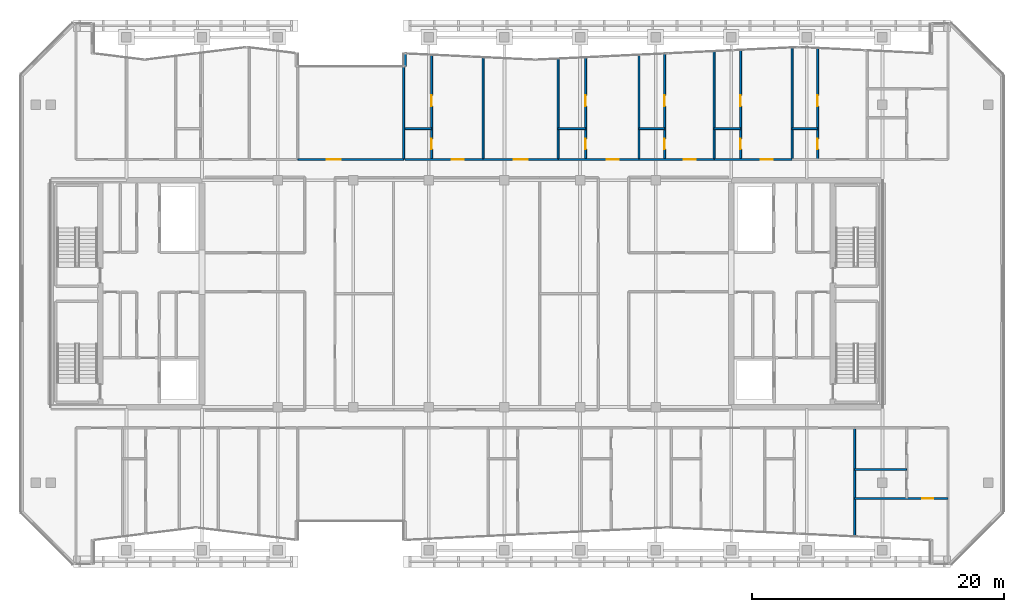
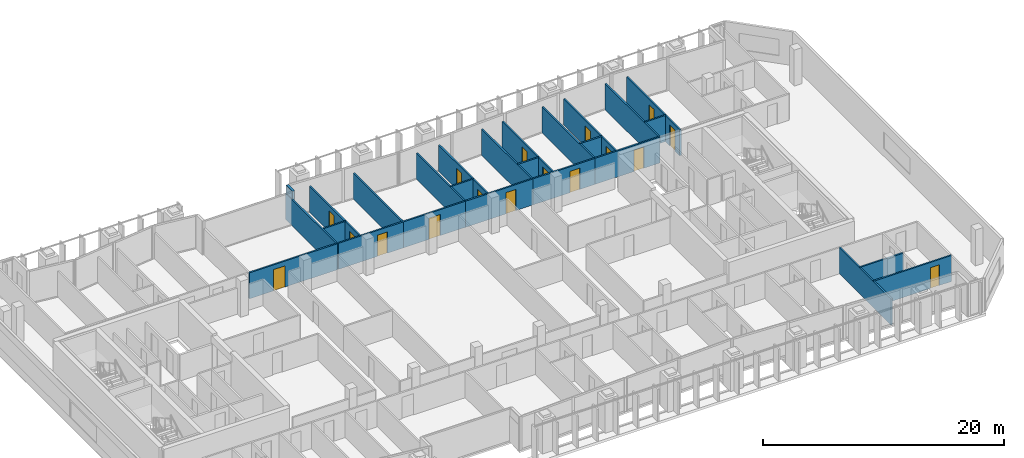
# One storey, part 25 of 32: 26 walls, 17 doors, 17 openings.
"""IFC4 building model written with IfcOpenShell, lengths in metres."""

from ifc_helpers import new_model, si_unit, direction, frame, frame_2d, origin, place, context, subcontext, project, spatial, rectangle, extrude, material, layer, layer_set, type_object, element, fill, save


model = new_model("IFC4")

# Units and contexts
model_context = context("Model", 3, precision=1e-05, world=origin(), true_north=direction((0.0, 1.0)))
body_context = subcontext(model_context, "Body", "Model", "MODEL_VIEW")
ifc_project = project(units=[si_unit("LENGTHUNIT", "METRE"), si_unit("AREAUNIT", "SQUARE_METRE"), si_unit("VOLUMEUNIT", "CUBIC_METRE"), si_unit("PLANEANGLEUNIT", "RADIAN"), si_unit("MASSUNIT", "GRAM", prefix="KILO")], contexts=[model_context])

# Site, building, storey
site_placement = place(None, origin())
site = spatial("IfcSite", under=ifc_project, at=site_placement, CompositionType="ELEMENT")
building_placement = place(site_placement, origin())
building = spatial("IfcBuilding", under=site, at=building_placement, Name="Tanjung Sevakor Pilgrim Tower", CompositionType="ELEMENT")
storey_placement = place(building_placement, frame((0.0, 0.0, 211.860107421875)))
storey = spatial("IfcBuildingStorey", under=building, at=storey_placement, Name="L59", CompositionType="ELEMENT", Elevation=211.860107421875)

# Wall, opening, door
ifc_material_1 = material(Name="Concrete C40/50", Category="concrete")
ifc_layer_1 = layer(ifc_material_1, 0.14990234375)
ifc_layer_set_1 = layer_set([ifc_layer_1], Name="WT-COMP-150")
wall_type_1 = type_object("IfcWallType", Name="WT-COMP-150", PredefinedType="SOLIDWALL", material=ifc_layer_set_1)
wall_1_placement = place(storey_placement, frame((43.60009765625, 44.25, 0.0), z_axis=(0.0, 0.0, 1.0), x_axis=(1.0, 0.0, 0.0)))
wall_1 = element("IfcWall", 1, at=wall_1_placement, inside=storey, type_object=wall_type_1, Name="L59 Partition IW-L59-062", PredefinedType="SOLIDWALL", context=body_context, shape_type="SweptSolid", body=[
    extrude(rectangle(XDim=8.39990234375, YDim=0.14990234375, at=frame_2d((4.199951171875, 0.0))), origin(), (0.0, 0.0, 1.0), 2.6298828125),
])
opening_1_placement = place(wall_1_placement, frame((2.300048828125, 0.0, 0.0)))
opening_1 = element("IfcOpeningElement", 2, at=opening_1_placement, cuts=wall_1, Name="Opening ID-RM2", PredefinedType="OPENING", context=body_context, shape_type="SweptSolid", body=[
    extrude(rectangle(XDim=1.10009765625, YDim=2.14990234375, at=frame_2d((0.550048828125, 1.074951171875))), frame((0.0, 0.0849609375, 0.0), z_axis=(0.0, -1.0, 0.0), x_axis=(1.0, 0.0, 0.0)), (0.0, 0.0, 1.0), 0.169921875),
])
ifc_material_2 = material(Name="Hardwood Timber", Category="wood")
door_type_1 = type_object("IfcDoorType", Name="DT-INT-1100", OperationType="NOTDEFINED", PredefinedType="DOOR", material=ifc_material_2)
door_1_placement = place(opening_1_placement, origin())
door_1 = element("IfcDoor", 3, at=door_1_placement, inside=storey, type_object=door_type_1, Name="L59 North Cleft Prayer Room Door", OperationType="SINGLE_SWING_LEFT", OverallHeight=2.14990234375, OverallWidth=1.10009765625, PredefinedType="DOOR", context=body_context, shape_type="SweptSolid", body=[
    extrude(rectangle(XDim=1.10009765625, YDim=2.14990234375, at=frame_2d((0.550048828125, 1.074951171875))), frame((0.0, 0.02490234375, 0.0), z_axis=(0.0, -1.0, 0.0), x_axis=(1.0, 0.0, 0.0)), (0.0, 0.0, 1.0), 0.050048828125),
])
fill(opening_1, door_1)

# Walls
wall_2_placement = place(storey_placement, frame((52.0, 44.25, 0.0), z_axis=(0.0, 0.0, 1.0), x_axis=(0.0, 1.0, 0.0)))
element("IfcWall", 4, at=wall_2_placement, inside=storey, type_object=wall_type_1, Name="L59 Partition IW-L59-064", PredefinedType="SOLIDWALL", context=body_context, shape_type="SweptSolid", body=[
    extrude(rectangle(XDim=8.404052734375, YDim=0.14990234375, at=frame_2d((4.2021484375, 0.0))), origin(), (0.0, 0.0, 1.0), 2.6298828125),
])
wall_3_placement = place(storey_placement, frame((87.79150390625, 14.32763671875, 0.0), z_axis=(0.0, 0.0, 1.0), x_axis=(0.0, 1.0, 0.0)))
element("IfcWall", 5, at=wall_3_placement, inside=storey, type_object=wall_type_1, Name="L59 Partition IW-L59-092", PredefinedType="SOLIDWALL", context=body_context, shape_type="SweptSolid", body=[
    extrude(rectangle(XDim=8.622314453125, YDim=0.14990234375, at=frame_2d((4.31103515625, 0.0))), origin(), (0.0, 0.0, 1.0), 2.6298828125),
])
wall_4_placement = place(storey_placement, frame((58.306884765625, 44.25, 0.0), z_axis=(0.0, 0.0, 1.0), x_axis=(0.0, 1.0, 0.0)))
element("IfcWall", 6, at=wall_4_placement, inside=storey, type_object=wall_type_1, Name="L59 Partition IW-L59-111", PredefinedType="SOLIDWALL", context=body_context, shape_type="SweptSolid", body=[
    extrude(rectangle(XDim=8.108154296875, YDim=0.14990234375, at=frame_2d((4.05419921875, 0.0))), origin(), (0.0, 0.0, 1.0), 2.6298828125),
])

# Wall, opening, door
wall_5_placement = place(storey_placement, frame((52.1201171875, 44.25, 0.0), z_axis=(0.0, 0.0, 1.0), x_axis=(1.0, 0.0, 0.0)))
wall_5 = element("IfcWall", 7, at=wall_5_placement, inside=storey, type_object=wall_type_1, Name="L59 Partition IW-L59-114", PredefinedType="SOLIDWALL", context=body_context, shape_type="SweptSolid", body=[
    extrude(rectangle(XDim=6.186767578125, YDim=0.14990234375, at=frame_2d((3.09326171875, 0.0))), origin(), (0.0, 0.0, 1.0), 2.6298828125),
])
opening_2_placement = place(wall_5_placement, frame((3.710205078125, 0.0, 0.0)))
opening_2 = element("IfcOpeningElement", 8, at=opening_2_placement, cuts=wall_5, Name="Opening ID-FD2", PredefinedType="OPENING", context=body_context, shape_type="SweptSolid", body=[
    extrude(rectangle(XDim=0.949951171875, YDim=2.14990234375, at=frame_2d((0.47509765625, 1.074951171875))), frame((0.0, 0.0849609375, 0.0), z_axis=(0.0, -1.0, 0.0), x_axis=(1.0, 0.0, 0.0)), (0.0, 0.0, 1.0), 0.169921875),
])
ifc_material_3 = material(Name="Fire-Rated Timber", Category="wood")
door_type_2 = type_object("IfcDoorType", Name="DT-FIRE-950", OperationType="NOTDEFINED", PredefinedType="DOOR", material=ifc_material_3)
door_2_placement = place(opening_2_placement, origin())
door_2 = element("IfcDoor", 9, at=door_2_placement, inside=storey, type_object=door_type_2, Name="Hostel Quad Entrance", OperationType="SINGLE_SWING_RIGHT", OverallHeight=2.14990234375, OverallWidth=0.949951171875, PredefinedType="DOOR", context=body_context, shape_type="SweptSolid", body=[
    extrude(rectangle(XDim=0.949951171875, YDim=2.14990234375, at=frame_2d((0.47509765625, 1.074951171875))), frame((0.0, 0.02490234375, 0.0), z_axis=(0.0, -1.0, 0.0), x_axis=(1.0, 0.0, 0.0)), (0.0, 0.0, 1.0), 0.050048828125),
])
fill(opening_2, door_2)

# Wall
wall_6_placement = place(storey_placement, frame((64.264892578125, 44.25, 0.0), z_axis=(0.0, 0.0, 1.0), x_axis=(0.0, 1.0, 0.0)))
element("IfcWall", 10, at=wall_6_placement, inside=storey, type_object=wall_type_1, Name="L59 Partition IW-L59-115", PredefinedType="SOLIDWALL", context=body_context, shape_type="SweptSolid", body=[
    extrude(rectangle(XDim=7.99658203125, YDim=0.14990234375, at=frame_2d((3.998291015625, 0.0))), origin(), (0.0, 0.0, 1.0), 2.6298828125),
])

# Wall, opening, door
wall_7_placement = place(storey_placement, frame((58.306884765625, 44.25, 0.0), z_axis=(0.0, 0.0, 1.0), x_axis=(1.0, 0.0, 0.0)))
wall_7 = element("IfcWall", 11, at=wall_7_placement, inside=storey, type_object=wall_type_1, Name="L59 Partition IW-L59-116", PredefinedType="SOLIDWALL", context=body_context, shape_type="SweptSolid", body=[
    extrude(rectangle(XDim=5.9580078125, YDim=0.14990234375, at=frame_2d((2.97900390625, 0.0))), origin(), (0.0, 0.0, 1.0), 2.6298828125),
])
opening_3_placement = place(wall_7_placement, frame((2.428955078125, 0.0, 0.0)))
opening_3 = element("IfcOpeningElement", 12, at=opening_3_placement, cuts=wall_7, Name="Opening ID-FD0", PredefinedType="OPENING", context=body_context, shape_type="SweptSolid", body=[
    extrude(rectangle(XDim=1.10009765625, YDim=2.14990234375, at=frame_2d((0.550048828125, 1.074951171875))), frame((0.0, 0.0849609375, 0.0), z_axis=(0.0, -1.0, 0.0), x_axis=(1.0, 0.0, 0.0)), (0.0, 0.0, 1.0), 0.169921875),
])
ifc_material_4 = material(Name="Fire-Rated Steel S355J2", Category="steel")
door_type_3 = type_object("IfcDoorType", Name="DT-FIRE-1100", OperationType="NOTDEFINED", PredefinedType="DOOR", material=ifc_material_4)
door_3_placement = place(opening_3_placement, origin())
door_3 = element("IfcDoor", 13, at=door_3_placement, inside=storey, type_object=door_type_3, Name="Communal Lounge Door", OperationType="SINGLE_SWING_LEFT", OverallHeight=2.14990234375, OverallWidth=1.10009765625, PredefinedType="DOOR", context=body_context, shape_type="SweptSolid", body=[
    extrude(rectangle(XDim=1.10009765625, YDim=2.14990234375, at=frame_2d((0.550048828125, 1.074951171875))), frame((0.0, 0.02490234375, 0.0), z_axis=(0.0, -1.0, 0.0), x_axis=(1.0, 0.0, 0.0)), (0.0, 0.0, 1.0), 0.050048828125),
])
fill(opening_3, door_3)

# Wall
wall_8_placement = place(storey_placement, frame((70.68115234375, 44.25, 0.0), z_axis=(0.0, 0.0, 1.0), x_axis=(0.0, 1.0, 0.0)))
element("IfcWall", 14, at=wall_8_placement, inside=storey, type_object=wall_type_1, Name="L59 Partition IW-L59-117", PredefinedType="SOLIDWALL", context=body_context, shape_type="SweptSolid", body=[
    extrude(rectangle(XDim=8.3037109375, YDim=0.14990234375, at=frame_2d((4.15185546875, 0.0))), origin(), (0.0, 0.0, 1.0), 2.6298828125),
])

# Wall, opening, door
wall_9_placement = place(storey_placement, frame((64.264892578125, 44.25, 0.0), z_axis=(0.0, 0.0, 1.0), x_axis=(1.0, 0.0, 0.0)))
wall_9 = element("IfcWall", 15, at=wall_9_placement, inside=storey, type_object=wall_type_1, Name="L59 Partition IW-L59-120", PredefinedType="SOLIDWALL", context=body_context, shape_type="SweptSolid", body=[
    extrude(rectangle(XDim=6.416259765625, YDim=0.14990234375, at=frame_2d((3.2080078125, 0.0))), origin(), (0.0, 0.0, 1.0), 2.6298828125),
])
opening_4_placement = place(wall_9_placement, frame((3.86376953125, 0.0, 0.0)))
opening_4 = element("IfcOpeningElement", 16, at=opening_4_placement, cuts=wall_9, Name="Opening ID-FD2", PredefinedType="OPENING", context=body_context, shape_type="SweptSolid", body=[
    extrude(rectangle(XDim=0.949951171875, YDim=2.14990234375, at=frame_2d((0.47509765625, 1.074951171875))), frame((0.0, 0.0849609375, 0.0), z_axis=(0.0, -1.0, 0.0), x_axis=(1.0, 0.0, 0.0)), (0.0, 0.0, 1.0), 0.169921875),
])
door_4_placement = place(opening_4_placement, origin())
door_4 = element("IfcDoor", 17, at=door_4_placement, inside=storey, type_object=door_type_2, Name="Hostel Quad Entrance", OperationType="SINGLE_SWING_RIGHT", OverallHeight=2.14990234375, OverallWidth=0.949951171875, PredefinedType="DOOR", context=body_context, shape_type="SweptSolid", body=[
    extrude(rectangle(XDim=0.949951171875, YDim=2.14990234375, at=frame_2d((0.47509765625, 1.074951171875))), frame((0.0, 0.02490234375, 0.0), z_axis=(0.0, -1.0, 0.0), x_axis=(1.0, 0.0, 0.0)), (0.0, 0.0, 1.0), 0.050048828125),
])
fill(opening_4, door_4)

# Wall
wall_10_placement = place(storey_placement, frame((76.638916015625, 44.25, 0.0), z_axis=(0.0, 0.0, 1.0), x_axis=(0.0, 1.0, 0.0)))
element("IfcWall", 18, at=wall_10_placement, inside=storey, type_object=wall_type_1, Name="L59 Partition IW-L59-121", PredefinedType="SOLIDWALL", context=body_context, shape_type="SweptSolid", body=[
    extrude(rectangle(XDim=8.5888671875, YDim=0.14990234375, at=frame_2d((4.29443359375, 0.0))), origin(), (0.0, 0.0, 1.0), 2.6298828125),
])

# Wall, opening, door
wall_11_placement = place(storey_placement, frame((70.68115234375, 44.25, 0.0), z_axis=(0.0, 0.0, 1.0), x_axis=(1.0, 0.0, 0.0)))
wall_11 = element("IfcWall", 19, at=wall_11_placement, inside=storey, type_object=wall_type_1, Name="L59 Partition IW-L59-124", PredefinedType="SOLIDWALL", context=body_context, shape_type="SweptSolid", body=[
    extrude(rectangle(XDim=5.957763671875, YDim=0.14990234375, at=frame_2d((2.97900390625, 0.0))), origin(), (0.0, 0.0, 1.0), 2.6298828125),
])
opening_5_placement = place(wall_11_placement, frame((3.556884765625, 0.0, 0.0)))
opening_5 = element("IfcOpeningElement", 20, at=opening_5_placement, cuts=wall_11, Name="Opening ID-FD2", PredefinedType="OPENING", context=body_context, shape_type="SweptSolid", body=[
    extrude(rectangle(XDim=0.949951171875, YDim=2.14990234375, at=frame_2d((0.47509765625, 1.074951171875))), frame((0.0, 0.0849609375, 0.0), z_axis=(0.0, -1.0, 0.0), x_axis=(1.0, 0.0, 0.0)), (0.0, 0.0, 1.0), 0.169921875),
])
door_5_placement = place(opening_5_placement, origin())
door_5 = element("IfcDoor", 21, at=door_5_placement, inside=storey, type_object=door_type_2, Name="Hostel Quad Entrance", OperationType="SINGLE_SWING_LEFT", OverallHeight=2.14990234375, OverallWidth=0.949951171875, PredefinedType="DOOR", context=body_context, shape_type="SweptSolid", body=[
    extrude(rectangle(XDim=0.949951171875, YDim=2.14990234375, at=frame_2d((0.47509765625, 1.074951171875))), frame((0.0, 0.02490234375, 0.0), z_axis=(0.0, -1.0, 0.0), x_axis=(1.0, 0.0, 0.0)), (0.0, 0.0, 1.0), 0.050048828125),
])
fill(opening_5, door_5)

# Wall
wall_12_placement = place(storey_placement, frame((82.825927734375, 44.25, 0.0), z_axis=(0.0, 0.0, 1.0), x_axis=(0.0, 1.0, 0.0)))
element("IfcWall", 22, at=wall_12_placement, inside=storey, type_object=wall_type_1, Name="L59 Partition IW-L59-125", PredefinedType="SOLIDWALL", context=body_context, shape_type="SweptSolid", body=[
    extrude(rectangle(XDim=8.884765625, YDim=0.14990234375, at=frame_2d((4.4423828125, 0.0))), origin(), (0.0, 0.0, 1.0), 2.6298828125),
])

# Wall, opening, door
wall_13_placement = place(storey_placement, frame((76.638916015625, 44.25, 0.0), z_axis=(0.0, 0.0, 1.0), x_axis=(1.0, 0.0, 0.0)))
wall_13 = element("IfcWall", 23, at=wall_13_placement, inside=storey, type_object=wall_type_1, Name="L59 Partition IW-L59-128", PredefinedType="SOLIDWALL", context=body_context, shape_type="SweptSolid", body=[
    extrude(rectangle(XDim=6.18701171875, YDim=0.14990234375, at=frame_2d((3.093505859375, 0.0))), origin(), (0.0, 0.0, 1.0), 2.6298828125),
])
opening_6_placement = place(wall_13_placement, frame((3.710205078125, 0.0, 0.0)))
opening_6 = element("IfcOpeningElement", 24, at=opening_6_placement, cuts=wall_13, Name="Opening ID-FD2", PredefinedType="OPENING", context=body_context, shape_type="SweptSolid", body=[
    extrude(rectangle(XDim=0.949951171875, YDim=2.14990234375, at=frame_2d((0.47509765625, 1.074951171875))), frame((0.0, 0.0849609375, 0.0), z_axis=(0.0, -1.0, 0.0), x_axis=(1.0, 0.0, 0.0)), (0.0, 0.0, 1.0), 0.169921875),
])
door_6_placement = place(opening_6_placement, origin())
door_6 = element("IfcDoor", 25, at=door_6_placement, inside=storey, type_object=door_type_2, Name="Hostel Quad Entrance", OperationType="SINGLE_SWING_RIGHT", OverallHeight=2.14990234375, OverallWidth=0.949951171875, PredefinedType="DOOR", context=body_context, shape_type="SweptSolid", body=[
    extrude(rectangle(XDim=0.949951171875, YDim=2.14990234375, at=frame_2d((0.47509765625, 1.074951171875))), frame((0.0, 0.02490234375, 0.0), z_axis=(0.0, -1.0, 0.0), x_axis=(1.0, 0.0, 0.0)), (0.0, 0.0, 1.0), 0.050048828125),
])
fill(opening_6, door_6)

# Walls
ifc_material_5 = material(Name="Precast concrete C45/55", Category="concrete")
ifc_layer_2 = layer(ifc_material_5, 0.219970703125)
ifc_layer_set_2 = layer_set([ifc_layer_2], Name="WT-EW-STN4")
wall_type_2 = type_object("IfcWallType", Name="WT-EW-STN4", PredefinedType="SOLIDWALL", material=ifc_layer_set_2)
wall_14_placement = place(storey_placement, frame((52.110107421875, 52.654541015625, 0.0), z_axis=(0.0, 0.0, 1.0), x_axis=(0.0, -1.0, 0.0)))
element("IfcWall", 26, at=wall_14_placement, inside=storey, type_object=wall_type_2, Name="L59 MAIN Exterior Wall 25", PredefinedType="SOLIDWALL", context=body_context, shape_type="SweptSolid", body=[
    extrude(rectangle(XDim=1.0146484375, YDim=0.219970703125, at=frame_2d((0.50732421875, 0.0))), origin(), (0.0, 0.0, 1.0), 3.409912109375),
])
ifc_material_6 = material(Name="Gypsum Board Partition", Category="gypsum board")
ifc_layer_3 = layer(ifc_material_6, 0.14990234375)
ifc_layer_set_3 = layer_set([ifc_layer_3], Name="WT-PART-150")
wall_type_3 = type_object("IfcWallType", Name="WT-PART-150", PredefinedType="PARTITIONING", material=ifc_layer_set_3)
wall_15_placement = place(storey_placement, frame((87.79150390625, 19.64599609375, 0.0), z_axis=(0.0, 0.0, 1.0), x_axis=(1.0, 0.0, 0.0)))
element("IfcWall", 27, at=wall_15_placement, inside=storey, type_object=wall_type_3, Name="L59 Partition IW-L59-096", PredefinedType="PARTITIONING", context=body_context, shape_type="SweptSolid", body=[
    extrude(rectangle(XDim=4.12841796875, YDim=0.14990234375, at=frame_2d((2.064208984375, 0.0))), origin(), (0.0, 0.0, 1.0), 2.6298828125),
])

# Wall, opening, door
wall_16_placement = place(storey_placement, frame((87.79150390625, 17.35009765625, 0.0), z_axis=(0.0, 0.0, 1.0), x_axis=(1.0, 0.0, 0.0)))
wall_16 = element("IfcWall", 28, at=wall_16_placement, inside=storey, type_object=wall_type_3, Name="L59 Partition IW-L59-098", PredefinedType="PARTITIONING", context=body_context, shape_type="SweptSolid", body=[
    extrude(rectangle(XDim=7.408447265625, YDim=0.14990234375, at=frame_2d((3.7041015625, 0.0))), origin(), (0.0, 0.0, 1.0), 2.6298828125),
])
opening_7_placement = place(wall_16_placement, frame((5.383544921875, 0.0, 0.0)))
opening_7 = element("IfcOpeningElement", 29, at=opening_7_placement, cuts=wall_16, Name="Opening ID-WC1", PredefinedType="OPENING", context=body_context, shape_type="SweptSolid", body=[
    extrude(rectangle(XDim=0.85009765625, YDim=2.10009765625, at=frame_2d((0.425048828125, 1.050048828125))), frame((0.0, 0.0849609375, 0.0), z_axis=(0.0, -1.0, 0.0), x_axis=(1.0, 0.0, 0.0)), (0.0, 0.0, 1.0), 0.169921875),
])
ifc_material_7 = material(Name="Moisture-Resistant Timber", Category="wood")
door_type_4 = type_object("IfcDoorType", Name="DT-INT-850", OperationType="NOTDEFINED", PredefinedType="DOOR", material=ifc_material_7)
door_7_placement = place(opening_7_placement, origin())
door_7 = element("IfcDoor", 30, at=door_7_placement, inside=storey, type_object=door_type_4, Name="Residence Bedroom Door", OperationType="SINGLE_SWING_RIGHT", OverallHeight=2.10009765625, OverallWidth=0.85009765625, PredefinedType="DOOR", context=body_context, shape_type="SweptSolid", body=[
    extrude(rectangle(XDim=0.85009765625, YDim=2.10009765625, at=frame_2d((0.425048828125, 1.050048828125))), frame((0.0, 0.02490234375, 0.0), z_axis=(0.0, -1.0, 0.0), x_axis=(1.0, 0.0, 0.0)), (0.0, 0.0, 1.0), 0.050048828125),
])
fill(opening_7, door_7)

# Wall
wall_17_placement = place(storey_placement, frame((52.1201171875, 46.699951171875, 0.0), z_axis=(0.0, 0.0, 1.0), x_axis=(1.0, 0.0, 0.0)))
element("IfcWall", 31, at=wall_17_placement, inside=storey, type_object=wall_type_3, Name="L59 Partition IW-L59-112", PredefinedType="PARTITIONING", context=body_context, shape_type="SweptSolid", body=[
    extrude(rectangle(XDim=2.103515625, YDim=0.14990234375, at=frame_2d((1.0517578125, 0.0))), origin(), (0.0, 0.0, 1.0), 2.6298828125),
])

# Wall, openings, doors
wall_18_placement = place(storey_placement, frame((54.2236328125, 44.25, 0.0), z_axis=(0.0, 0.0, 1.0), x_axis=(0.0, 1.0, 0.0)))
wall_18 = element("IfcWall", 32, at=wall_18_placement, inside=storey, type_object=wall_type_3, Name="L59 Partition IW-L59-113", PredefinedType="PARTITIONING", context=body_context, shape_type="SweptSolid", body=[
    extrude(rectangle(XDim=8.303466796875, YDim=0.14990234375, at=frame_2d((4.15185546875, 0.0))), origin(), (0.0, 0.0, 1.0), 2.6298828125),
])
opening_8_placement = place(wall_18_placement, frame((0.800048828125, 0.0, 0.0)))
opening_8 = element("IfcOpeningElement", 33, at=opening_8_placement, cuts=wall_18, Name="Opening ID-WC1", PredefinedType="OPENING", context=body_context, shape_type="SweptSolid", body=[
    extrude(rectangle(XDim=0.85009765625, YDim=2.10009765625, at=frame_2d((0.425048828125, 1.050048828125))), frame((0.0, 0.0849609375, 0.0), z_axis=(0.0, -1.0, 0.0), x_axis=(1.0, 0.0, 0.0)), (0.0, 0.0, 1.0), 0.169921875),
])
opening_9_placement = place(wall_18_placement, frame((4.22998046875, 0.0, 0.0)))
opening_9 = element("IfcOpeningElement", 34, at=opening_9_placement, cuts=wall_18, Name="Opening ID-WC1", PredefinedType="OPENING", context=body_context, shape_type="SweptSolid", body=[
    extrude(rectangle(XDim=0.85009765625, YDim=2.10009765625, at=frame_2d((0.425048828125, 1.050048828125))), frame((0.0, 0.0849609375, 0.0), z_axis=(0.0, -1.0, 0.0), x_axis=(1.0, 0.0, 0.0)), (0.0, 0.0, 1.0), 0.169921875),
])
door_8_placement = place(opening_8_placement, origin())
door_8 = element("IfcDoor", 35, at=door_8_placement, inside=storey, type_object=door_type_4, Name="Bathroom Door", OperationType="SINGLE_SWING_RIGHT", OverallHeight=2.10009765625, OverallWidth=0.85009765625, PredefinedType="DOOR", context=body_context, shape_type="SweptSolid", body=[
    extrude(rectangle(XDim=0.85009765625, YDim=2.10009765625, at=frame_2d((0.425048828125, 1.050048828125))), frame((0.0, 0.02490234375, 0.0), z_axis=(0.0, -1.0, 0.0), x_axis=(1.0, 0.0, 0.0)), (0.0, 0.0, 1.0), 0.050048828125),
])
fill(opening_8, door_8)
door_9_placement = place(opening_9_placement, origin())
door_9 = element("IfcDoor", 36, at=door_9_placement, inside=storey, type_object=door_type_4, Name="Study Nook Door", OperationType="SINGLE_SWING_LEFT", OverallHeight=2.10009765625, OverallWidth=0.85009765625, PredefinedType="DOOR", context=body_context, shape_type="SweptSolid", body=[
    extrude(rectangle(XDim=0.85009765625, YDim=2.10009765625, at=frame_2d((0.425048828125, 1.050048828125))), frame((0.0, 0.02490234375, 0.0), z_axis=(0.0, -1.0, 0.0), x_axis=(1.0, 0.0, 0.0)), (0.0, 0.0, 1.0), 0.050048828125),
])
fill(opening_9, door_9)

# Wall
wall_19_placement = place(storey_placement, frame((64.264892578125, 46.699951171875, 0.0), z_axis=(0.0, 0.0, 1.0), x_axis=(1.0, 0.0, 0.0)))
element("IfcWall", 37, at=wall_19_placement, inside=storey, type_object=wall_type_3, Name="L59 Partition IW-L59-118", PredefinedType="PARTITIONING", context=body_context, shape_type="SweptSolid", body=[
    extrude(rectangle(XDim=2.181396484375, YDim=0.14990234375, at=frame_2d((1.0908203125, 0.0))), origin(), (0.0, 0.0, 1.0), 2.6298828125),
])

# Wall, openings, doors
wall_20_placement = place(storey_placement, frame((66.4462890625, 44.25, 0.0), z_axis=(0.0, 0.0, 1.0), x_axis=(0.0, 1.0, 0.0)))
wall_20 = element("IfcWall", 38, at=wall_20_placement, inside=storey, type_object=wall_type_3, Name="L59 Partition IW-L59-119", PredefinedType="PARTITIONING", context=body_context, shape_type="SweptSolid", body=[
    extrude(rectangle(XDim=8.10107421875, YDim=0.14990234375, at=frame_2d((4.050537109375, 0.0))), origin(), (0.0, 0.0, 1.0), 2.6298828125),
])
opening_10_placement = place(wall_20_placement, frame((0.800048828125, 0.0, 0.0)))
opening_10 = element("IfcOpeningElement", 39, at=opening_10_placement, cuts=wall_20, Name="Opening ID-WC1", PredefinedType="OPENING", context=body_context, shape_type="SweptSolid", body=[
    extrude(rectangle(XDim=0.85009765625, YDim=2.10009765625, at=frame_2d((0.425048828125, 1.050048828125))), frame((0.0, 0.0849609375, 0.0), z_axis=(0.0, -1.0, 0.0), x_axis=(1.0, 0.0, 0.0)), (0.0, 0.0, 1.0), 0.169921875),
])
opening_11_placement = place(wall_20_placement, frame((4.22998046875, 0.0, 0.0)))
opening_11 = element("IfcOpeningElement", 40, at=opening_11_placement, cuts=wall_20, Name="Opening ID-WC1", PredefinedType="OPENING", context=body_context, shape_type="SweptSolid", body=[
    extrude(rectangle(XDim=0.85009765625, YDim=2.10009765625, at=frame_2d((0.425048828125, 1.050048828125))), frame((0.0, 0.0849609375, 0.0), z_axis=(0.0, -1.0, 0.0), x_axis=(1.0, 0.0, 0.0)), (0.0, 0.0, 1.0), 0.169921875),
])
door_10_placement = place(opening_10_placement, origin())
door_10 = element("IfcDoor", 41, at=door_10_placement, inside=storey, type_object=door_type_4, Name="Bathroom Door", OperationType="SINGLE_SWING_RIGHT", OverallHeight=2.10009765625, OverallWidth=0.85009765625, PredefinedType="DOOR", context=body_context, shape_type="SweptSolid", body=[
    extrude(rectangle(XDim=0.85009765625, YDim=2.10009765625, at=frame_2d((0.425048828125, 1.050048828125))), frame((0.0, 0.02490234375, 0.0), z_axis=(0.0, -1.0, 0.0), x_axis=(1.0, 0.0, 0.0)), (0.0, 0.0, 1.0), 0.050048828125),
])
fill(opening_10, door_10)
door_11_placement = place(opening_11_placement, origin())
door_11 = element("IfcDoor", 42, at=door_11_placement, inside=storey, type_object=door_type_4, Name="Study Nook Door", OperationType="SINGLE_SWING_LEFT", OverallHeight=2.10009765625, OverallWidth=0.85009765625, PredefinedType="DOOR", context=body_context, shape_type="SweptSolid", body=[
    extrude(rectangle(XDim=0.85009765625, YDim=2.10009765625, at=frame_2d((0.425048828125, 1.050048828125))), frame((0.0, 0.02490234375, 0.0), z_axis=(0.0, -1.0, 0.0), x_axis=(1.0, 0.0, 0.0)), (0.0, 0.0, 1.0), 0.050048828125),
])
fill(opening_11, door_11)

# Wall
wall_21_placement = place(storey_placement, frame((70.68115234375, 46.699951171875, 0.0), z_axis=(0.0, 0.0, 1.0), x_axis=(1.0, 0.0, 0.0)))
element("IfcWall", 43, at=wall_21_placement, inside=storey, type_object=wall_type_3, Name="L59 Partition IW-L59-122", PredefinedType="PARTITIONING", context=body_context, shape_type="SweptSolid", body=[
    extrude(rectangle(XDim=2.025634765625, YDim=0.14990234375, at=frame_2d((1.0126953125, 0.0))), origin(), (0.0, 0.0, 1.0), 2.6298828125),
])

# Wall, openings, doors
wall_22_placement = place(storey_placement, frame((72.706787109375, 44.25, 0.0), z_axis=(0.0, 0.0, 1.0), x_axis=(0.0, 1.0, 0.0)))
wall_22 = element("IfcWall", 44, at=wall_22_placement, inside=storey, type_object=wall_type_3, Name="L59 Partition IW-L59-123", PredefinedType="PARTITIONING", context=body_context, shape_type="SweptSolid", body=[
    extrude(rectangle(XDim=8.400634765625, YDim=0.14990234375, at=frame_2d((4.2001953125, 0.0))), origin(), (0.0, 0.0, 1.0), 2.6298828125),
])
opening_12_placement = place(wall_22_placement, frame((0.800048828125, 0.0, 0.0)))
opening_12 = element("IfcOpeningElement", 45, at=opening_12_placement, cuts=wall_22, Name="Opening ID-WC1", PredefinedType="OPENING", context=body_context, shape_type="SweptSolid", body=[
    extrude(rectangle(XDim=0.85009765625, YDim=2.10009765625, at=frame_2d((0.425048828125, 1.050048828125))), frame((0.0, 0.0849609375, 0.0), z_axis=(0.0, -1.0, 0.0), x_axis=(1.0, 0.0, 0.0)), (0.0, 0.0, 1.0), 0.169921875),
])
opening_13_placement = place(wall_22_placement, frame((4.22998046875, 0.0, 0.0)))
opening_13 = element("IfcOpeningElement", 46, at=opening_13_placement, cuts=wall_22, Name="Opening ID-WC1", PredefinedType="OPENING", context=body_context, shape_type="SweptSolid", body=[
    extrude(rectangle(XDim=0.85009765625, YDim=2.10009765625, at=frame_2d((0.425048828125, 1.050048828125))), frame((0.0, 0.0849609375, 0.0), z_axis=(0.0, -1.0, 0.0), x_axis=(1.0, 0.0, 0.0)), (0.0, 0.0, 1.0), 0.169921875),
])
door_12_placement = place(opening_12_placement, origin())
door_12 = element("IfcDoor", 47, at=door_12_placement, inside=storey, type_object=door_type_4, Name="Bathroom Door", OperationType="SINGLE_SWING_LEFT", OverallHeight=2.10009765625, OverallWidth=0.85009765625, PredefinedType="DOOR", context=body_context, shape_type="SweptSolid", body=[
    extrude(rectangle(XDim=0.85009765625, YDim=2.10009765625, at=frame_2d((0.425048828125, 1.050048828125))), frame((0.0, 0.02490234375, 0.0), z_axis=(0.0, -1.0, 0.0), x_axis=(1.0, 0.0, 0.0)), (0.0, 0.0, 1.0), 0.050048828125),
])
fill(opening_12, door_12)
door_13_placement = place(opening_13_placement, origin())
door_13 = element("IfcDoor", 48, at=door_13_placement, inside=storey, type_object=door_type_4, Name="Study Nook Door", OperationType="SINGLE_SWING_RIGHT", OverallHeight=2.10009765625, OverallWidth=0.85009765625, PredefinedType="DOOR", context=body_context, shape_type="SweptSolid", body=[
    extrude(rectangle(XDim=0.85009765625, YDim=2.10009765625, at=frame_2d((0.425048828125, 1.050048828125))), frame((0.0, 0.02490234375, 0.0), z_axis=(0.0, -1.0, 0.0), x_axis=(1.0, 0.0, 0.0)), (0.0, 0.0, 1.0), 0.050048828125),
])
fill(opening_13, door_13)

# Wall
wall_23_placement = place(storey_placement, frame((76.638916015625, 46.699951171875, 0.0), z_axis=(0.0, 0.0, 1.0), x_axis=(1.0, 0.0, 0.0)))
element("IfcWall", 49, at=wall_23_placement, inside=storey, type_object=wall_type_3, Name="L59 Partition IW-L59-126", PredefinedType="PARTITIONING", context=body_context, shape_type="SweptSolid", body=[
    extrude(rectangle(XDim=2.103759765625, YDim=0.14990234375, at=frame_2d((1.0517578125, 0.0))), origin(), (0.0, 0.0, 1.0), 2.6298828125),
])

# Wall, openings, doors
wall_24_placement = place(storey_placement, frame((78.74267578125, 44.25, 0.0), z_axis=(0.0, 0.0, 1.0), x_axis=(0.0, 1.0, 0.0)))
wall_24 = element("IfcWall", 50, at=wall_24_placement, inside=storey, type_object=wall_type_3, Name="L59 Partition IW-L59-127", PredefinedType="PARTITIONING", context=body_context, shape_type="SweptSolid", body=[
    extrude(rectangle(XDim=8.689453125, YDim=0.14990234375, at=frame_2d((4.3447265625, 0.0))), origin(), (0.0, 0.0, 1.0), 2.6298828125),
])
opening_14_placement = place(wall_24_placement, frame((0.800048828125, 0.0, 0.0)))
opening_14 = element("IfcOpeningElement", 51, at=opening_14_placement, cuts=wall_24, Name="Opening ID-WC1", PredefinedType="OPENING", context=body_context, shape_type="SweptSolid", body=[
    extrude(rectangle(XDim=0.85009765625, YDim=2.10009765625, at=frame_2d((0.425048828125, 1.050048828125))), frame((0.0, 0.0849609375, 0.0), z_axis=(0.0, -1.0, 0.0), x_axis=(1.0, 0.0, 0.0)), (0.0, 0.0, 1.0), 0.169921875),
])
opening_15_placement = place(wall_24_placement, frame((4.22998046875, 0.0, 0.0)))
opening_15 = element("IfcOpeningElement", 52, at=opening_15_placement, cuts=wall_24, Name="Opening ID-WC1", PredefinedType="OPENING", context=body_context, shape_type="SweptSolid", body=[
    extrude(rectangle(XDim=0.85009765625, YDim=2.10009765625, at=frame_2d((0.425048828125, 1.050048828125))), frame((0.0, 0.0849609375, 0.0), z_axis=(0.0, -1.0, 0.0), x_axis=(1.0, 0.0, 0.0)), (0.0, 0.0, 1.0), 0.169921875),
])
door_14_placement = place(opening_14_placement, origin())
door_14 = element("IfcDoor", 53, at=door_14_placement, inside=storey, type_object=door_type_4, Name="Bathroom Door", OperationType="SINGLE_SWING_RIGHT", OverallHeight=2.10009765625, OverallWidth=0.85009765625, PredefinedType="DOOR", context=body_context, shape_type="SweptSolid", body=[
    extrude(rectangle(XDim=0.85009765625, YDim=2.10009765625, at=frame_2d((0.425048828125, 1.050048828125))), frame((0.0, 0.02490234375, 0.0), z_axis=(0.0, -1.0, 0.0), x_axis=(1.0, 0.0, 0.0)), (0.0, 0.0, 1.0), 0.050048828125),
])
fill(opening_14, door_14)
door_15_placement = place(opening_15_placement, origin())
door_15 = element("IfcDoor", 54, at=door_15_placement, inside=storey, type_object=door_type_4, Name="Study Nook Door", OperationType="SINGLE_SWING_LEFT", OverallHeight=2.10009765625, OverallWidth=0.85009765625, PredefinedType="DOOR", context=body_context, shape_type="SweptSolid", body=[
    extrude(rectangle(XDim=0.85009765625, YDim=2.10009765625, at=frame_2d((0.425048828125, 1.050048828125))), frame((0.0, 0.02490234375, 0.0), z_axis=(0.0, -1.0, 0.0), x_axis=(1.0, 0.0, 0.0)), (0.0, 0.0, 1.0), 0.050048828125),
])
fill(opening_15, door_15)

# Wall
wall_25_placement = place(storey_placement, frame((82.825927734375, 46.699951171875, 0.0), z_axis=(0.0, 0.0, 1.0), x_axis=(1.0, 0.0, 0.0)))
element("IfcWall", 55, at=wall_25_placement, inside=storey, type_object=wall_type_3, Name="L59 Partition IW-L59-130", PredefinedType="PARTITIONING", context=body_context, shape_type="SweptSolid", body=[
    extrude(rectangle(XDim=2.02587890625, YDim=0.14990234375, at=frame_2d((1.012939453125, 0.0))), origin(), (0.0, 0.0, 1.0), 2.6298828125),
])

# Wall, openings, doors
wall_26_placement = place(storey_placement, frame((84.851806640625, 44.25, 0.0), z_axis=(0.0, 0.0, 1.0), x_axis=(0.0, 1.0, 0.0)))
wall_26 = element("IfcWall", 56, at=wall_26_placement, inside=storey, type_object=wall_type_3, Name="L59 Partition IW-L59-131", PredefinedType="PARTITIONING", context=body_context, shape_type="SweptSolid", body=[
    extrude(rectangle(XDim=8.837890625, YDim=0.14990234375, at=frame_2d((4.4189453125, 0.0))), origin(), (0.0, 0.0, 1.0), 2.6298828125),
])
opening_16_placement = place(wall_26_placement, frame((0.800048828125, 0.0, 0.0)))
opening_16 = element("IfcOpeningElement", 57, at=opening_16_placement, cuts=wall_26, Name="Opening ID-WC1", PredefinedType="OPENING", context=body_context, shape_type="SweptSolid", body=[
    extrude(rectangle(XDim=0.85009765625, YDim=2.10009765625, at=frame_2d((0.425048828125, 1.050048828125))), frame((0.0, 0.0849609375, 0.0), z_axis=(0.0, -1.0, 0.0), x_axis=(1.0, 0.0, 0.0)), (0.0, 0.0, 1.0), 0.169921875),
])
opening_17_placement = place(wall_26_placement, frame((4.22998046875, 0.0, 0.0)))
opening_17 = element("IfcOpeningElement", 58, at=opening_17_placement, cuts=wall_26, Name="Opening ID-WC1", PredefinedType="OPENING", context=body_context, shape_type="SweptSolid", body=[
    extrude(rectangle(XDim=0.85009765625, YDim=2.10009765625, at=frame_2d((0.425048828125, 1.050048828125))), frame((0.0, 0.0849609375, 0.0), z_axis=(0.0, -1.0, 0.0), x_axis=(1.0, 0.0, 0.0)), (0.0, 0.0, 1.0), 0.169921875),
])
door_16_placement = place(opening_16_placement, origin())
door_16 = element("IfcDoor", 59, at=door_16_placement, inside=storey, type_object=door_type_4, Name="Bathroom Door", OperationType="SINGLE_SWING_LEFT", OverallHeight=2.10009765625, OverallWidth=0.85009765625, PredefinedType="DOOR", context=body_context, shape_type="SweptSolid", body=[
    extrude(rectangle(XDim=0.85009765625, YDim=2.10009765625, at=frame_2d((0.425048828125, 1.050048828125))), frame((0.0, 0.02490234375, 0.0), z_axis=(0.0, -1.0, 0.0), x_axis=(1.0, 0.0, 0.0)), (0.0, 0.0, 1.0), 0.050048828125),
])
fill(opening_16, door_16)
door_17_placement = place(opening_17_placement, origin())
door_17 = element("IfcDoor", 60, at=door_17_placement, inside=storey, type_object=door_type_4, Name="Study Nook Door", OperationType="SINGLE_SWING_RIGHT", OverallHeight=2.10009765625, OverallWidth=0.85009765625, PredefinedType="DOOR", context=body_context, shape_type="SweptSolid", body=[
    extrude(rectangle(XDim=0.85009765625, YDim=2.10009765625, at=frame_2d((0.425048828125, 1.050048828125))), frame((0.0, 0.02490234375, 0.0), z_axis=(0.0, -1.0, 0.0), x_axis=(1.0, 0.0, 0.0)), (0.0, 0.0, 1.0), 0.050048828125),
])
fill(opening_17, door_17)

save(model, "model.ifc")
